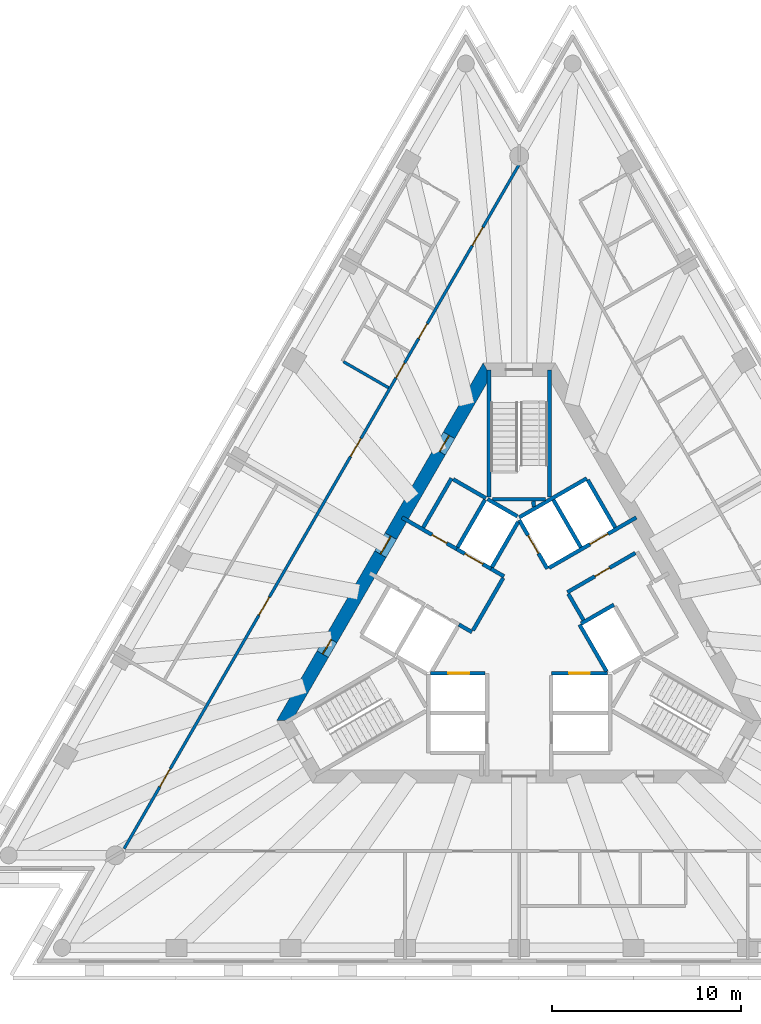
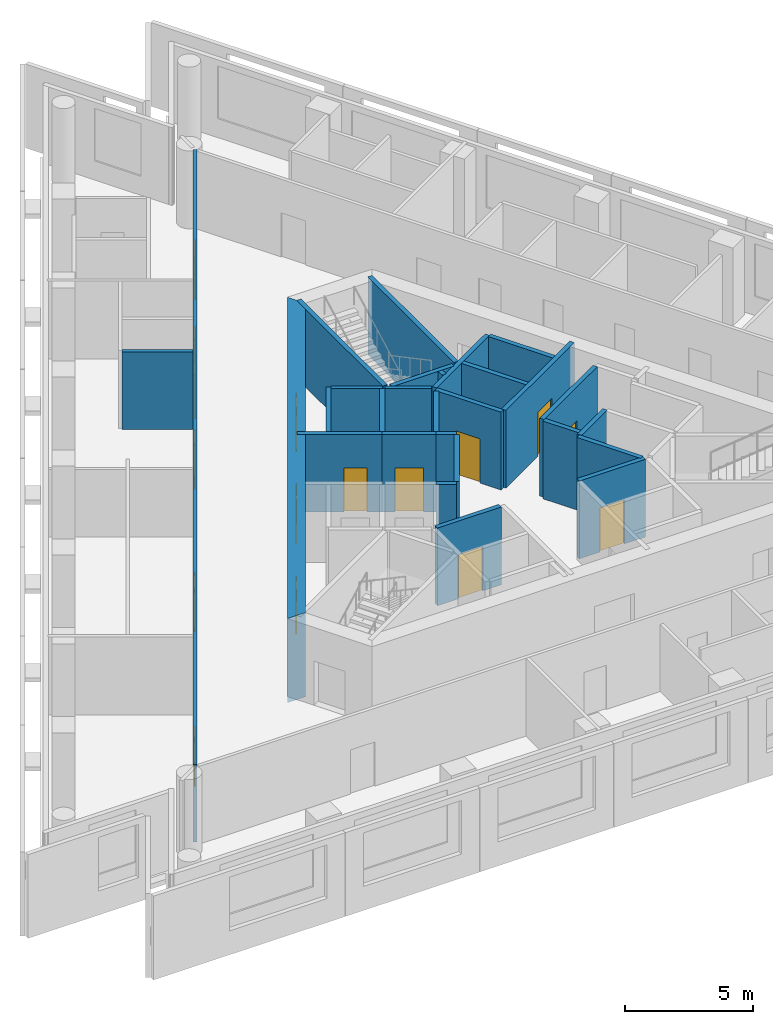
# One storey, part 4 of 9: 28 walls, 16 doors, 16 openings.
"""IFC4 building model written with IfcOpenShell, lengths in metres."""

from ifc_helpers import new_model, si_unit, direction, frame, frame_2d, origin, place, context, subcontext, project, spatial, polyline, rectangle, outline, extrude, material, layer, layer_set, type_object, element, fill, save


model = new_model("IFC4")

# Units and contexts
model_context = context("Model", 3, precision=1e-05, world=origin(), true_north=direction((0.0, 1.0)))
body_context = subcontext(model_context, "Body", "Model", "MODEL_VIEW")
ifc_project = project(units=[si_unit("LENGTHUNIT", "METRE"), si_unit("AREAUNIT", "SQUARE_METRE"), si_unit("VOLUMEUNIT", "CUBIC_METRE"), si_unit("PLANEANGLEUNIT", "RADIAN"), si_unit("MASSUNIT", "GRAM", prefix="KILO")], contexts=[model_context])

# Site, building, storey
site_placement = place(None, origin())
site = spatial("IfcSite", under=ifc_project, at=site_placement, CompositionType="ELEMENT")
building_placement = place(site_placement, origin())
building = spatial("IfcBuilding", under=site, at=building_placement, Name="Triada Interchange Tower", CompositionType="ELEMENT")
storey_placement = place(building_placement, frame((0.0, 0.0, 223.300048828125)))
storey = spatial("IfcBuildingStorey", under=building, at=storey_placement, Name="L52", CompositionType="ELEMENT", Elevation=223.300048828125)

# Wall, opening, door
ifc_material_1 = material(Name="Concrete C30/37", Category="concrete")
ifc_layer_1 = layer(ifc_material_1, 0.199951171875)
ifc_layer_set_1 = layer_set([ifc_layer_1], Name="CORE WALL 200 EI 120")
wall_type_1 = type_object("IfcWallType", Name="CORE WALL 200 EI 120", PredefinedType="SOLIDWALL", material=ifc_layer_set_1)
wall_1_placement = place(storey_placement, frame((-4.676025390625, -2.699951171875, 0.0), z_axis=(0.0, 0.0, 1.0), x_axis=(1.0, 0.0, 0.0)))
wall_1 = element("IfcWall", 1, at=wall_1_placement, inside=storey, type_object=wall_type_1, Name="Wall L50 49", PredefinedType="SOLIDWALL", context=body_context, shape_type="SweptSolid", body=[
    extrude(rectangle(XDim=2.873046875, YDim=0.199951171875, at=frame_2d((1.4365234375, 0.0))), origin(), (0.0, 0.0, 1.0), 3.699951171875),
])
opening_1_placement = place(wall_1_placement, frame((0.93701171875, 0.0, 0.0)))
opening_1 = element("IfcOpeningElement", 2, at=opening_1_placement, cuts=wall_1, Name="Opening LD-HR3", PredefinedType="OPENING", context=body_context, shape_type="SweptSolid", body=[
    extrude(rectangle(XDim=1.10009765625, YDim=2.10009765625, at=frame_2d((0.550048828125, 1.050048828125))), frame((0.0, 0.10986328125, 0.0), z_axis=(0.0, -1.0, 0.0), x_axis=(1.0, 0.0, 0.0)), (0.0, 0.0, 1.0), 0.219970703125),
])
ifc_material_2 = material(Name="Steel S235 door leaf", Category="steel")
door_type_1 = type_object("IfcDoorType", Name="LIFT LANDING DOOR 1100 EI 120", OperationType="SLIDING_TO_LEFT", PredefinedType="DOOR", material=ifc_material_2)
door_1_placement = place(opening_1_placement, origin())
door_1 = element("IfcDoor", 3, at=door_1_placement, inside=storey, type_object=door_type_1, Name="HR3 landing door L52", OperationType="SLIDING_TO_LEFT", OverallHeight=2.10009765625, OverallWidth=1.10009765625, PredefinedType="DOOR", context=body_context, shape_type="SweptSolid", body=[
    extrude(rectangle(XDim=1.10009765625, YDim=2.10009765625, at=frame_2d((0.550048828125, 1.050048828125))), frame((0.0, 0.02490234375, 0.0), z_axis=(0.0, -1.0, 0.0), x_axis=(1.0, 0.0, 0.0)), (0.0, 0.0, 1.0), 0.050048828125),
])
fill(opening_1, door_1)

wall_2_placement = place(storey_placement, frame((1.702880859375, -2.699951171875, 0.0), z_axis=(0.0, 0.0, 1.0), x_axis=(1.0, 0.0, 0.0)))
wall_2 = element("IfcWall", 4, at=wall_2_placement, inside=storey, type_object=wall_type_1, Name="Wall L50 50", PredefinedType="SOLIDWALL", context=body_context, shape_type="SweptSolid", body=[
    extrude(rectangle(XDim=2.97314453125, YDim=0.199951171875, at=frame_2d((1.486572265625, 0.0))), origin(), (0.0, 0.0, 1.0), 3.699951171875),
])
opening_2_placement = place(wall_2_placement, frame((0.93603515625, 0.0, 0.0)))
opening_2 = element("IfcOpeningElement", 5, at=opening_2_placement, cuts=wall_2, Name="Opening LD-HR1", PredefinedType="OPENING", context=body_context, shape_type="SweptSolid", body=[
    extrude(rectangle(XDim=1.10009765625, YDim=2.10009765625, at=frame_2d((0.550048828125, 1.050048828125))), frame((0.0, 0.10986328125, 0.0), z_axis=(0.0, -1.0, 0.0), x_axis=(1.0, 0.0, 0.0)), (0.0, 0.0, 1.0), 0.219970703125),
])
door_2_placement = place(opening_2_placement, origin())
door_2 = element("IfcDoor", 6, at=door_2_placement, inside=storey, type_object=door_type_1, Name="HR1 landing door L52", OperationType="SLIDING_TO_LEFT", OverallHeight=2.10009765625, OverallWidth=1.10009765625, PredefinedType="DOOR", context=body_context, shape_type="SweptSolid", body=[
    extrude(rectangle(XDim=1.10009765625, YDim=2.10009765625, at=frame_2d((0.550048828125, 1.050048828125))), frame((0.0, 0.02490234375, 0.0), z_axis=(0.0, -1.0, 0.0), x_axis=(1.0, 0.0, 0.0)), (0.0, 0.0, 1.0), 0.050048828125),
])
fill(opening_2, door_2)

# Wall
wall_3_placement = place(storey_placement, frame((-0.001953125, 5.541015625, 0.0), z_axis=(0.0, 0.0, 1.0), x_axis=(0.86600155993, 0.500041296494, 0.0)))
element("IfcWall", 7, at=wall_3_placement, inside=storey, type_object=wall_type_1, Name="Wall L50 51", PredefinedType="SOLIDWALL", context=body_context, shape_type="SweptSolid", body=[
    extrude(rectangle(XDim=4.131591796875, YDim=0.199951171875, at=frame_2d((2.06591796875, 0.0))), origin(), (0.0, 0.0, 1.0), 3.699951171875),
])

# Wall, opening, door
wall_4_placement = place(storey_placement, frame((0.0, 5.39990234375, 0.0), z_axis=(0.0, 0.0, 1.0), x_axis=(0.500103862429, -0.865965430478, 0.0)))
wall_4 = element("IfcWall", 8, at=wall_4_placement, inside=storey, type_object=wall_type_1, Name="Wall L50 52", PredefinedType="SOLIDWALL", context=body_context, shape_type="SweptSolid", body=[
    extrude(rectangle(XDim=2.973388671875, YDim=0.199951171875, at=frame_2d((1.48681640625, 0.0))), origin(), (0.0, 0.0, 1.0), 3.699951171875),
])
opening_3_placement = place(wall_4_placement, frame((0.93701171875, 0.0, 0.0)))
opening_3 = element("IfcOpeningElement", 9, at=opening_3_placement, cuts=wall_4, Name="Opening LD-HR5", PredefinedType="OPENING", context=body_context, shape_type="SweptSolid", body=[
    extrude(rectangle(XDim=1.10009765625, YDim=2.10009765625, at=frame_2d((0.550048828125, 1.050048828125))), frame((0.0, 0.10986328125, 0.0), z_axis=(0.0, -1.0, 0.0), x_axis=(1.0, 0.0, 0.0)), (0.0, 0.0, 1.0), 0.219970703125),
])
door_3_placement = place(opening_3_placement, origin())
door_3 = element("IfcDoor", 10, at=door_3_placement, inside=storey, type_object=door_type_1, Name="HR5 landing door L52", OperationType="SLIDING_TO_LEFT", OverallHeight=2.10009765625, OverallWidth=1.10009765625, PredefinedType="DOOR", context=body_context, shape_type="SweptSolid", body=[
    extrude(rectangle(XDim=1.10009765625, YDim=2.10009765625, at=frame_2d((0.550048828125, 1.050048828125))), frame((0.0, 0.02490234375, 0.0), z_axis=(0.0, -1.0, 0.0), x_axis=(1.0, 0.0, 0.0)), (0.0, 0.0, 1.0), 0.050048828125),
])
fill(opening_3, door_3)

# Wall
wall_5_placement = place(storey_placement, frame((3.18994140625, -0.125, 0.0), z_axis=(0.0, 0.0, 1.0), x_axis=(0.499988658015, -0.866031951983, 0.0)))
element("IfcWall", 11, at=wall_5_placement, inside=storey, type_object=wall_type_1, Name="Wall L50 53", PredefinedType="SOLIDWALL", context=body_context, shape_type="SweptSolid", body=[
    extrude(rectangle(XDim=2.85791015625, YDim=0.199951171875, at=frame_2d((1.428955078125, 0.0))), origin(), (0.0, 0.0, 1.0), 3.699951171875),
])

# Wall, opening, door
wall_6_placement = place(storey_placement, frame((1.577880859375, 2.8740234375, 0.0), z_axis=(0.0, 0.0, 1.0), x_axis=(0.866045911672, 0.499964477614, 0.0)))
wall_6 = element("IfcWall", 12, at=wall_6_placement, inside=storey, type_object=wall_type_1, Name="Wall L50 54", PredefinedType="SOLIDWALL", context=body_context, shape_type="SweptSolid", body=[
    extrude(rectangle(XDim=5.32666015625, YDim=0.199951171875, at=frame_2d((2.663330078125, 0.0))), origin(), (0.0, 0.0, 1.0), 3.699951171875),
])
opening_4_placement = place(wall_6_placement, frame((2.49609375, 0.0, 0.0)))
opening_4 = element("IfcOpeningElement", 13, at=opening_4_placement, cuts=wall_6, Name="Opening LD-HR6", PredefinedType="OPENING", context=body_context, shape_type="SweptSolid", body=[
    extrude(rectangle(XDim=1.10009765625, YDim=2.10009765625, at=frame_2d((0.550048828125, 1.050048828125))), frame((0.0, 0.10986328125, 0.0), z_axis=(0.0, -1.0, 0.0), x_axis=(1.0, 0.0, 0.0)), (0.0, 0.0, 1.0), 0.219970703125),
])
door_4_placement = place(opening_4_placement, origin())
door_4 = element("IfcDoor", 14, at=door_4_placement, inside=storey, type_object=door_type_1, Name="HR6 landing door L52", OperationType="SLIDING_TO_LEFT", OverallHeight=2.10009765625, OverallWidth=1.10009765625, PredefinedType="DOOR", context=body_context, shape_type="SweptSolid", body=[
    extrude(rectangle(XDim=1.10009765625, YDim=2.10009765625, at=frame_2d((0.550048828125, 1.050048828125))), frame((0.0, 0.02490234375, 0.0), z_axis=(0.0, -1.0, 0.0), x_axis=(1.0, 0.0, 0.0)), (0.0, 0.0, 1.0), 0.050048828125),
])
fill(opening_4, door_4)

# Walls
wall_7_placement = place(storey_placement, frame((3.278076171875, -0.071044921875, 0.0), z_axis=(0.0, 0.0, 1.0), x_axis=(0.865855657918, 0.500293893279, 0.0)))
element("IfcWall", 15, at=wall_7_placement, inside=storey, type_object=wall_type_1, Name="Wall L50 57", PredefinedType="SOLIDWALL", context=body_context, shape_type="SweptSolid", body=[
    extrude(rectangle(XDim=1.996826171875, YDim=0.199951171875, at=frame_2d((0.99853515625, 0.0))), origin(), (0.0, 0.0, 1.0), 3.699951171875),
])
for number, where, z_axis, x_axis, name in (
    (16, (3.6259765625, 7.52001953125, 0.0), (0.0, 0.0, 1.0), (0.500060147554, -0.865990674793, 0.0), "Wall L50 59"),
    (17, (1.806884765625, 6.469970703125, 0.0), (0.0, 0.0, 1.0), (0.50012328804, -0.865954211699, 0.0), "Wall L50 60"),
):
    element("IfcWall", number, at=place(storey_placement, frame(where, z_axis=z_axis, x_axis=x_axis)), inside=storey, type_object=wall_type_1, Name=name, PredefinedType="SOLIDWALL", context=body_context, shape_type="SweptSolid", body=[
        extrude(rectangle(XDim=2.899658203125, YDim=0.199951171875, at=frame_2d((1.44970703125, 0.0))), origin(), (0.0, 0.0, 1.0), 3.699951171875),
    ])

# Wall, opening, door
wall_8_placement = place(storey_placement, frame((2.548095703125, 1.5869140625, 0.0), z_axis=(0.0, 0.0, 1.0), x_axis=(0.866004344652, 0.500036473714, 0.0)))
wall_8 = element("IfcWall", 18, at=wall_8_placement, inside=storey, type_object=wall_type_1, Name="Wall L50 64", PredefinedType="SOLIDWALL", context=body_context, shape_type="SweptSolid", body=[
    extrude(rectangle(XDim=4.150146484375, YDim=0.199951171875, at=frame_2d((2.0751953125, 0.0))), origin(), (0.0, 0.0, 1.0), 3.699951171875),
])
opening_5_placement = place(wall_8_placement, frame((1.675048828125, 0.0, 0.0)))
opening_5 = element("IfcOpeningElement", 19, at=opening_5_placement, cuts=wall_8, Name="Opening D50-48", PredefinedType="OPENING", context=body_context, shape_type="SweptSolid", body=[
    extrude(rectangle(XDim=0.89990234375, YDim=2.10009765625, at=frame_2d((0.449951171875, 1.050048828125))), frame((0.0, 0.10986328125, 0.0), z_axis=(0.0, -1.0, 0.0), x_axis=(1.0, 0.0, 0.0)), (0.0, 0.0, 1.0), 0.219970703125),
])
door_type_2 = type_object("IfcDoorType", Name="SERVICE DOOR 900 EI2 45-C5S200", OperationType="NOTDEFINED", PredefinedType="DOOR", material=ifc_material_2)
door_5_placement = place(opening_5_placement, origin())
door_5 = element("IfcDoor", 20, at=door_5_placement, inside=storey, type_object=door_type_2, Name="Door D50-48 L52", OperationType="SINGLE_SWING_RIGHT", OverallHeight=2.10009765625, OverallWidth=0.89990234375, PredefinedType="DOOR", context=body_context, shape_type="SweptSolid", body=[
    extrude(rectangle(XDim=0.89990234375, YDim=2.10009765625, at=frame_2d((0.449951171875, 1.050048828125))), frame((0.0, 0.02490234375, 0.0), z_axis=(0.0, -1.0, 0.0), x_axis=(1.0, 0.0, 0.0)), (0.0, 0.0, 1.0), 0.050048828125),
])
fill(opening_5, door_5)

# Walls
wall_9_placement = place(storey_placement, frame((2.597900390625, 1.5, 0.0), z_axis=(0.0, 0.0, 1.0), x_axis=(0.499929347863, -0.866066190972, 0.0)))
element("IfcWall", 21, at=wall_9_placement, inside=storey, type_object=wall_type_1, Name="Wall L50 65", PredefinedType="SOLIDWALL", context=body_context, shape_type="SweptSolid", body=[
    extrude(rectangle(XDim=1.600341796875, YDim=0.199951171875, at=frame_2d((0.80029296875, 0.0))), origin(), (0.0, 0.0, 1.0), 3.699951171875),
])
ifc_layer_2 = layer(ifc_material_1, 0.199951171875)
ifc_layer_set_2 = layer_set([ifc_layer_2], Name="CORE WALL 200 EI 180")
wall_type_2 = type_object("IfcWallType", Name="CORE WALL 200 EI 180", PredefinedType="SOLIDWALL", material=ifc_layer_set_2)
wall_10_placement = place(storey_placement, frame((-3.18798828125, -0.1220703125, 0.0), z_axis=(0.0, 0.0, 1.0), x_axis=(0.865705793592, -0.50055317294, 0.0)))
element("IfcWall", 22, at=wall_10_placement, inside=storey, type_object=wall_type_2, Name="Wall L50 67", PredefinedType="SOLIDWALL", context=body_context, shape_type="SweptSolid", body=[
    extrude(rectangle(XDim=0.796875, YDim=0.199951171875, at=frame_2d((0.3984375, 0.0))), origin(), (0.0, 0.0, 1.0), 3.699951171875),
])

# Wall, opening, door
wall_11_placement = place(storey_placement, frame((-6.19091796875, 5.537109375, 0.0), z_axis=(0.0, 0.0, 1.0), x_axis=(0.866052607023, -0.499952879648, 0.0)))
wall_11 = element("IfcWall", 23, at=wall_11_placement, inside=storey, type_object=wall_type_2, Name="Wall L50 68", PredefinedType="SOLIDWALL", context=body_context, shape_type="SweptSolid", body=[
    extrude(rectangle(XDim=3.332275390625, YDim=0.199951171875, at=frame_2d((1.666015625, 0.0))), origin(), (0.0, 0.0, 1.0), 3.699951171875),
])
opening_6_placement = place(wall_11_placement, frame((1.830078125, 0.0, 0.0)))
opening_6 = element("IfcOpeningElement", 24, at=opening_6_placement, cuts=wall_11, Name="Opening D50-10", PredefinedType="OPENING", context=body_context, shape_type="SweptSolid", body=[
    extrude(rectangle(XDim=0.89990234375, YDim=2.10009765625, at=frame_2d((0.449951171875, 1.050048828125))), frame((0.0, 0.10986328125, 0.0), z_axis=(0.0, -1.0, 0.0), x_axis=(1.0, 0.0, 0.0)), (0.0, 0.0, 1.0), 0.219970703125),
])
door_type_3 = type_object("IfcDoorType", Name="SERVICE DOOR 900 EI2 90-C5S200", OperationType="NOTDEFINED", PredefinedType="DOOR", material=ifc_material_2)
door_6_placement = place(opening_6_placement, origin())
door_6 = element("IfcDoor", 25, at=door_6_placement, inside=storey, type_object=door_type_3, Name="Door D50-10 L52", OperationType="SINGLE_SWING_LEFT", OverallHeight=2.10009765625, OverallWidth=0.89990234375, PredefinedType="DOOR", context=body_context, shape_type="SweptSolid", body=[
    extrude(rectangle(XDim=0.89990234375, YDim=2.10009765625, at=frame_2d((0.449951171875, 1.050048828125))), frame((0.0, 0.02490234375, 0.0), z_axis=(0.0, -1.0, 0.0), x_axis=(1.0, 0.0, 0.0)), (0.0, 0.0, 1.0), 0.050048828125),
])
fill(opening_6, door_6)

# Walls
wall_12_placement = place(storey_placement, frame((-1.488037109375, 2.822021484375, 0.0), z_axis=(0.0, 0.0, 1.0), x_axis=(0.866236612152, -0.499633997809, 0.0)))
element("IfcWall", 26, at=wall_12_placement, inside=storey, type_object=wall_type_2, Name="Wall L50 69", PredefinedType="SOLIDWALL", context=body_context, shape_type="SweptSolid", body=[
    extrude(rectangle(XDim=0.79638671875, YDim=0.199951171875, at=frame_2d((0.398193359375, 0.0))), origin(), (0.0, 0.0, 1.0), 3.699951171875),
])
wall_13_placement = place(storey_placement, frame((-5.075927734375, 5.009033203125, 0.0), z_axis=(0.0, 0.0, 1.0), x_axis=(0.50002537861, 0.866010750942, 0.0)))
element("IfcWall", 27, at=wall_13_placement, inside=storey, type_object=wall_type_2, Name="Wall L50 70", PredefinedType="SOLIDWALL", context=body_context, shape_type="SweptSolid", body=[
    extrude(rectangle(XDim=2.999755859375, YDim=0.199951171875, at=frame_2d((1.5, 0.0))), origin(), (0.0, 0.0, 1.0), 3.699951171875),
])
wall_14_placement = place(storey_placement, frame((-3.489013671875, 7.556884765625, 0.0), z_axis=(0.0, 0.0, 1.0), x_axis=(0.866010750942, -0.50002537861, 0.0)))
element("IfcWall", 28, at=wall_14_placement, inside=storey, type_object=wall_type_2, Name="Wall L50 71", PredefinedType="SOLIDWALL", context=body_context, shape_type="SweptSolid", body=[
    extrude(rectangle(XDim=2.0, YDim=0.199951171875, at=frame_2d((1.0, 0.0))), origin(), (0.0, 0.0, 1.0), 3.699951171875),
])
wall_15_placement = place(storey_placement, frame((-2.444091796875, -0.43310546875, 0.0), z_axis=(0.0, 0.0, 1.0), x_axis=(0.500035624827, 0.866004834804, 0.0)))
element("IfcWall", 29, at=wall_15_placement, inside=storey, type_object=wall_type_2, Name="Wall L50 72", PredefinedType="SOLIDWALL", context=body_context, shape_type="SweptSolid", body=[
    extrude(rectangle(XDim=3.194091796875, YDim=0.199951171875, at=frame_2d((1.59716796875, 0.0))), origin(), (0.0, 0.0, 1.0), 3.699951171875),
])

# Wall, opening, door
wall_16_placement = place(storey_placement, frame((-3.30908203125, 3.873046875, 0.0), z_axis=(0.0, 0.0, 1.0), x_axis=(0.866098583652, -0.499873227325, 0.0)))
wall_16 = element("IfcWall", 30, at=wall_16_placement, inside=storey, type_object=wall_type_2, Name="Shaft wall FF2 L50 77", PredefinedType="SOLIDWALL", context=body_context, shape_type="SweptSolid", body=[
    extrude(rectangle(XDim=2.1025390625, YDim=0.199951171875, at=frame_2d((1.05126953125, 0.0))), origin(), (0.0, 0.0, 1.0), 3.699951171875),
])
opening_7_placement = place(wall_16_placement, frame((0.501953125, 0.0, 0.0)))
opening_7 = element("IfcOpeningElement", 31, at=opening_7_placement, cuts=wall_16, Name="Opening LD-FF2", PredefinedType="OPENING", context=body_context, shape_type="SweptSolid", body=[
    extrude(rectangle(XDim=1.10009765625, YDim=2.10009765625, at=frame_2d((0.550048828125, 1.050048828125))), frame((0.0, 0.10986328125, 0.0), z_axis=(0.0, -1.0, 0.0), x_axis=(1.0, 0.0, 0.0)), (0.0, 0.0, 1.0), 0.219970703125),
])
door_7_placement = place(opening_7_placement, origin())
door_7 = element("IfcDoor", 32, at=door_7_placement, inside=storey, type_object=door_type_1, Name="FF2 landing door L52", OperationType="SLIDING_TO_LEFT", OverallHeight=2.10009765625, OverallWidth=1.10009765625, PredefinedType="DOOR", context=body_context, shape_type="SweptSolid", body=[
    extrude(rectangle(XDim=1.10009765625, YDim=2.10009765625, at=frame_2d((0.550048828125, 1.050048828125))), frame((0.0, 0.02490234375, 0.0), z_axis=(0.0, -1.0, 0.0), x_axis=(1.0, 0.0, 0.0)), (0.0, 0.0, 1.0), 0.050048828125),
])
fill(opening_7, door_7)

# Walls
wall_17_placement = place(storey_placement, frame((-3.257080078125, 3.958984375, 0.0), z_axis=(0.0, 0.0, 1.0), x_axis=(0.50012328804, 0.865954211699, 0.0)))
element("IfcWall", 33, at=wall_17_placement, inside=storey, type_object=wall_type_2, Name="Shaft wall FF2 L50 78", PredefinedType="SOLIDWALL", context=body_context, shape_type="SweptSolid", body=[
    extrude(rectangle(XDim=2.899658203125, YDim=0.199951171875, at=frame_2d((1.44970703125, 0.0))), origin(), (0.0, 0.0, 1.0), 3.699951171875),
])
wall_18_placement = place(storey_placement, frame((-1.669921875, 6.507080078125, 0.0), z_axis=(0.0, 0.0, 1.0), x_axis=(0.865941441609, -0.500145398563, 0.0)))
element("IfcWall", 34, at=wall_18_placement, inside=storey, type_object=wall_type_2, Name="Shaft wall FF2 L50 79", PredefinedType="SOLIDWALL", context=body_context, shape_type="SweptSolid", body=[
    extrude(rectangle(XDim=1.8154296875, YDim=0.199951171875, at=frame_2d((0.90771484375, 0.0))), origin(), (0.0, 0.0, 1.0), 3.699951171875),
])
wall_19_placement = place(storey_placement, frame((-1.43798828125, 2.908935546875, 0.0), z_axis=(0.0, 0.0, 1.0), x_axis=(0.499829630636, 0.866123744241, 0.0)))
element("IfcWall", 35, at=wall_19_placement, inside=storey, type_object=wall_type_2, Name="Shaft wall FF2 L50 80", PredefinedType="SOLIDWALL", context=body_context, shape_type="SweptSolid", body=[
    extrude(rectangle(XDim=2.7607421875, YDim=0.199951171875, at=frame_2d((1.38037109375, 0.0))), origin(), (0.0, 0.0, 1.0), 3.699951171875),
])
ifc_layer_3 = layer(ifc_material_1, 0.199951171875)
ifc_layer_set_3 = layer_set([ifc_layer_3], Name="CORE WALL 200 EI 90")
wall_type_3 = type_object("IfcWallType", Name="CORE WALL 200 EI 90", PredefinedType="SOLIDWALL", material=ifc_layer_set_3)
wall_20_placement = place(storey_placement, frame((0.75, 6.39990234375, 0.0), z_axis=(0.0, 0.0, 1.0), x_axis=(0.080860177601, -0.996725454515, 0.0)))
element("IfcWall", 36, at=wall_20_placement, inside=storey, type_object=wall_type_3, Name="Wall L50 82", PredefinedType="SOLIDWALL", context=body_context, shape_type="SweptSolid", body=[
    extrude(rectangle(XDim=0.2958984375, YDim=0.199951171875, at=frame_2d((0.14794921875, 0.0))), origin(), (0.0, 0.0, 1.0), 3.699951171875),
])
ifc_layer_4 = layer(ifc_material_1, 0.199951171875)
ifc_layer_set_4 = layer_set([ifc_layer_4], Name="CORE WALL 200 REI 240")
wall_type_4 = type_object("IfcWallType", Name="CORE WALL 200 REI 240", PredefinedType="SOLIDWALL", material=ifc_layer_set_4)
wall_21_placement = place(storey_placement, frame((1.60009765625, 6.614990234375, 0.0), z_axis=(0.0, 0.0, 1.0), x_axis=(0.0, 1.0, 0.0)))
element("IfcWall", 37, at=wall_21_placement, inside=storey, type_object=wall_type_4, Name="Wall L50 89", PredefinedType="SOLIDWALL", context=body_context, shape_type="SweptSolid", body=[
    extrude(rectangle(XDim=6.715087890625, YDim=0.199951171875, at=frame_2d((3.357421875, 0.0))), origin(), (0.0, 0.0, 1.0), 3.699951171875),
])
wall_22_placement = place(storey_placement, frame((-1.39990234375, 6.5, 0.0), z_axis=(0.0, 0.0, 1.0), x_axis=(1.0, 0.0, 0.0)))
element("IfcWall", 38, at=wall_22_placement, inside=storey, type_object=wall_type_4, Name="Wall L50 90", PredefinedType="SOLIDWALL", context=body_context, shape_type="SweptSolid", body=[
    extrude(rectangle(XDim=2.7998046875, YDim=0.199951171875, at=frame_2d((1.39990234375, 0.0))), origin(), (0.0, 0.0, 1.0), 3.699951171875),
])
wall_23_placement = place(storey_placement, frame((-1.60009765625, 6.614990234375, 0.0), z_axis=(0.0, 0.0, 1.0), x_axis=(0.0, 1.0, 0.0)))
element("IfcWall", 39, at=wall_23_placement, inside=storey, type_object=wall_type_4, Name="Wall L50 91", PredefinedType="SOLIDWALL", context=body_context, shape_type="SweptSolid", body=[
    extrude(rectangle(XDim=6.715087890625, YDim=0.199951171875, at=frame_2d((3.357421875, 0.0))), origin(), (0.0, 0.0, 1.0), 3.699951171875),
])

# Wall, openings, doors
ifc_material_3 = material(Name="Concrete C50/60", Category="concrete")
ifc_layer_5 = layer(ifc_material_3, 0.699951171875)
ifc_layer_set_5 = layer_set([ifc_layer_5], Name="Core wall C 700")
wall_type_5 = type_object("IfcWallType", Name="Core wall C 700", PredefinedType="SHEAR", material=ifc_layer_set_5)
wall_24_placement = place(storey_placement, frame((-1.702880859375, 13.35009765625, -0.300048828125), z_axis=(0.0, 0.0, 1.0), x_axis=(-0.500011533395, -0.866018744874, 0.0)))
wall_24 = element("IfcWall", 40, at=wall_24_placement, inside=storey, type_object=wall_type_5, Name="Core wall WC02 L52", PredefinedType="SHEAR", context=body_context, shape_type="SweptSolid", body=[
    extrude(outline(polyline([(-0.201904296875, -0.35009765625), (1.781982421875, -0.35009765625), (3.76611328125, -0.35009765625), (5.75, -0.35009765625), (7.734130859375, -0.35009765625), (9.718017578125, -0.35009765625), (11.7021484375, -0.35009765625), (13.68603515625, -0.35009765625), (15.670166015625, -0.35009765625), (17.654052734375, -0.35009765625), (19.63818359375, -0.35009765625), (21.6220703125, -0.35009765625), (21.218017578125, 0.35009765625), (19.307373046875, 0.35009765625), (17.39697265625, 0.35009765625), (15.486328125, 0.35009765625), (13.57568359375, 0.35009765625), (11.665283203125, 0.35009765625), (9.754638671875, 0.35009765625), (7.84423828125, 0.35009765625), (5.93359375, 0.35009765625), (4.02294921875, 0.35009765625), (2.112548828125, 0.35009765625), (0.201904296875, 0.35009765625), (-0.201904296875, -0.35009765625)])), origin(), (0.0, 0.0, 1.0), 4.0),
])
opening_8_placement = place(wall_24_placement, frame((10.159912109375, 0.0, 0.300048828125)))
opening_8 = element("IfcOpeningElement", 41, at=opening_8_placement, cuts=wall_24, Name="Opening D50-42", PredefinedType="OPENING", context=body_context, shape_type="SweptSolid", body=[
    extrude(rectangle(XDim=1.10009765625, YDim=2.10009765625, at=frame_2d((0.550048828125, 1.050048828125))), frame((0.0, 0.360107421875, 0.0), z_axis=(0.0, -1.0, 0.0), x_axis=(1.0, 0.0, 0.0)), (0.0, 0.0, 1.0), 0.72021484375),
])
opening_9_placement = place(wall_24_placement, frame((16.465087890625, 0.0, 0.300048828125)))
opening_9 = element("IfcOpeningElement", 42, at=opening_9_placement, cuts=wall_24, Name="Opening D50-43", PredefinedType="OPENING", context=body_context, shape_type="SweptSolid", body=[
    extrude(rectangle(XDim=0.89990234375, YDim=2.10009765625, at=frame_2d((0.449951171875, 1.050048828125))), frame((0.0, 0.360107421875, 0.0), z_axis=(0.0, -1.0, 0.0), x_axis=(1.0, 0.0, 0.0)), (0.0, 0.0, 1.0), 0.72021484375),
])
opening_10_placement = place(wall_24_placement, frame((4.0048828125, 0.0, 0.300048828125)))
opening_10 = element("IfcOpeningElement", 43, at=opening_10_placement, cuts=wall_24, Name="Opening D50-46", PredefinedType="OPENING", context=body_context, shape_type="SweptSolid", body=[
    extrude(rectangle(XDim=1.0, YDim=2.10009765625, at=frame_2d((0.5, 1.050048828125))), frame((0.0, 0.360107421875, 0.0), z_axis=(0.0, -1.0, 0.0), x_axis=(1.0, 0.0, 0.0)), (0.0, 0.0, 1.0), 0.72021484375),
])
door_type_4 = type_object("IfcDoorType", Name="FIRE LOBBY DOOR 1100 EI2 90-C5S200", OperationType="NOTDEFINED", PredefinedType="DOOR", material=ifc_material_2)
door_8_placement = place(opening_8_placement, origin())
door_8 = element("IfcDoor", 44, at=door_8_placement, inside=storey, type_object=door_type_4, Name="Door D50-42 L52", OperationType="SINGLE_SWING_RIGHT", OverallHeight=2.10009765625, OverallWidth=1.10009765625, PredefinedType="DOOR", context=body_context, shape_type="SweptSolid", body=[
    extrude(rectangle(XDim=1.10009765625, YDim=2.10009765625, at=frame_2d((0.550048828125, 1.050048828125))), frame((0.0, 0.02490234375, 0.0), z_axis=(0.0, -1.0, 0.0), x_axis=(1.0, 0.0, 0.0)), (0.0, 0.0, 1.0), 0.050048828125),
])
fill(opening_8, door_8)
door_type_5 = type_object("IfcDoorType", Name="SERVICE DOOR 1000 EI2 45-C5S200", OperationType="NOTDEFINED", PredefinedType="DOOR", material=ifc_material_2)
door_9_placement = place(opening_10_placement, origin())
door_9 = element("IfcDoor", 45, at=door_9_placement, inside=storey, type_object=door_type_5, Name="Door D50-46 L52", OperationType="SINGLE_SWING_RIGHT", OverallHeight=2.10009765625, OverallWidth=1.0, PredefinedType="DOOR", context=body_context, shape_type="SweptSolid", body=[
    extrude(rectangle(XDim=1.0, YDim=2.10009765625, at=frame_2d((0.5, 1.050048828125))), frame((0.0, 0.02490234375, 0.0), z_axis=(0.0, -1.0, 0.0), x_axis=(1.0, 0.0, 0.0)), (0.0, 0.0, 1.0), 0.050048828125),
])
fill(opening_10, door_9)
door_10_placement = place(opening_9_placement, origin())
door_10 = element("IfcDoor", 46, at=door_10_placement, inside=storey, type_object=door_type_2, Name="Door D50-43 L52", OperationType="SINGLE_SWING_RIGHT", OverallHeight=2.10009765625, OverallWidth=0.89990234375, PredefinedType="DOOR", context=body_context, shape_type="SweptSolid", body=[
    extrude(rectangle(XDim=0.89990234375, YDim=2.10009765625, at=frame_2d((0.449951171875, 1.050048828125))), frame((0.0, 0.02490234375, 0.0), z_axis=(0.0, -1.0, 0.0), x_axis=(1.0, 0.0, 0.0)), (0.0, 0.0, 1.0), 0.050048828125),
])
fill(opening_9, door_10)

ifc_material_4 = material(Name="Gypsum board partition")
ifc_layer_6 = layer(ifc_material_4, 0.14990234375)
ifc_layer_set_6 = layer_set([ifc_layer_6], Name="PARTITION 150 EI 180")
wall_type_6 = type_object("IfcWallType", Name="PARTITION 150 EI 180", PredefinedType="PARTITIONING", material=ifc_layer_set_6)
wall_25_placement = place(storey_placement, frame((-20.883056640625, -11.969970703125, 0.0), z_axis=(0.0, 0.0, 1.0), x_axis=(0.500006150555, 0.866021852731, 0.0)))
wall_25 = element("IfcWall", 47, at=wall_25_placement, inside=storey, type_object=wall_type_6, Name="Wall L50 4", PredefinedType="PARTITIONING", context=body_context, shape_type="SweptSolid", body=[
    extrude(rectangle(XDim=41.765625, YDim=0.14990234375, at=frame_2d((20.8828125, 0.0))), origin(), (0.0, 0.0, 1.0), 3.699951171875),
])
opening_11_placement = place(wall_25_placement, frame((36.81591796875, 0.0, 0.0)))
opening_11 = element("IfcOpeningElement", 48, at=opening_11_placement, cuts=wall_25, Name="Opening D50-29", PredefinedType="OPENING", context=body_context, shape_type="SweptSolid", body=[
    extrude(rectangle(XDim=1.10009765625, YDim=2.10009765625, at=frame_2d((0.550048828125, 1.050048828125))), frame((0.0, 0.0849609375, 0.0), z_axis=(0.0, -1.0, 0.0), x_axis=(1.0, 0.0, 0.0)), (0.0, 0.0, 1.0), 0.169921875),
])
opening_12_placement = place(wall_25_placement, frame((23.93896484375, 0.0, 0.0)))
opening_12 = element("IfcOpeningElement", 49, at=opening_12_placement, cuts=wall_25, Name="Opening D50-32", PredefinedType="OPENING", context=body_context, shape_type="SweptSolid", body=[
    extrude(rectangle(XDim=1.10009765625, YDim=2.10009765625, at=frame_2d((0.550048828125, 1.050048828125))), frame((0.0, 0.0849609375, 0.0), z_axis=(0.0, -1.0, 0.0), x_axis=(1.0, 0.0, 0.0)), (0.0, 0.0, 1.0), 0.169921875),
])
opening_13_placement = place(wall_25_placement, frame((31.138916015625, 0.0, 0.0)))
opening_13 = element("IfcOpeningElement", 50, at=opening_13_placement, cuts=wall_25, Name="Opening D50-33", PredefinedType="OPENING", context=body_context, shape_type="SweptSolid", body=[
    extrude(rectangle(XDim=0.89990234375, YDim=2.10009765625, at=frame_2d((0.449951171875, 1.050048828125))), frame((0.0, 0.0849609375, 0.0), z_axis=(0.0, -1.0, 0.0), x_axis=(1.0, 0.0, 0.0)), (0.0, 0.0, 1.0), 0.169921875),
])
opening_14_placement = place(wall_25_placement, frame((28.739013671875, 0.0, 0.0)))
opening_14 = element("IfcOpeningElement", 51, at=opening_14_placement, cuts=wall_25, Name="Opening D50-34", PredefinedType="OPENING", context=body_context, shape_type="SweptSolid", body=[
    extrude(rectangle(XDim=0.89990234375, YDim=2.10009765625, at=frame_2d((0.449951171875, 1.050048828125))), frame((0.0, 0.0849609375, 0.0), z_axis=(0.0, -1.0, 0.0), x_axis=(1.0, 0.0, 0.0)), (0.0, 0.0, 1.0), 0.169921875),
])
opening_15_placement = place(wall_25_placement, frame((14.258056640625, 0.0, 0.0)))
opening_15 = element("IfcOpeningElement", 52, at=opening_15_placement, cuts=wall_25, Name="Opening D50-35", PredefinedType="OPENING", context=body_context, shape_type="SweptSolid", body=[
    extrude(rectangle(XDim=1.10009765625, YDim=2.10009765625, at=frame_2d((0.550048828125, 1.050048828125))), frame((0.0, 0.0849609375, 0.0), z_axis=(0.0, -1.0, 0.0), x_axis=(1.0, 0.0, 0.0)), (0.0, 0.0, 1.0), 0.169921875),
])
opening_16_placement = place(wall_25_placement, frame((3.777099609375, 0.0, 0.0)))
opening_16 = element("IfcOpeningElement", 53, at=opening_16_placement, cuts=wall_25, Name="Opening D50-37", PredefinedType="OPENING", context=body_context, shape_type="SweptSolid", body=[
    extrude(rectangle(XDim=1.10009765625, YDim=2.10009765625, at=frame_2d((0.550048828125, 1.050048828125))), frame((0.0, 0.0849609375, 0.0), z_axis=(0.0, -1.0, 0.0), x_axis=(1.0, 0.0, 0.0)), (0.0, 0.0, 1.0), 0.169921875),
])
door_type_6 = type_object("IfcDoorType", Name="ROOM DOOR 900 EI2 90-C5S200", OperationType="NOTDEFINED", PredefinedType="DOOR", material=ifc_material_2)
door_11_placement = place(opening_13_placement, origin())
door_11 = element("IfcDoor", 54, at=door_11_placement, inside=storey, type_object=door_type_6, Name="Door D50-33 L52", OperationType="SINGLE_SWING_LEFT", OverallHeight=2.10009765625, OverallWidth=0.89990234375, PredefinedType="DOOR", context=body_context, shape_type="SweptSolid", body=[
    extrude(rectangle(XDim=0.89990234375, YDim=2.10009765625, at=frame_2d((0.449951171875, 1.050048828125))), frame((0.0, 0.02490234375, 0.0), z_axis=(0.0, -1.0, 0.0), x_axis=(1.0, 0.0, 0.0)), (0.0, 0.0, 1.0), 0.050048828125),
])
fill(opening_13, door_11)
door_12_placement = place(opening_14_placement, origin())
door_12 = element("IfcDoor", 55, at=door_12_placement, inside=storey, type_object=door_type_3, Name="Door D50-34 L52", OperationType="SINGLE_SWING_LEFT", OverallHeight=2.10009765625, OverallWidth=0.89990234375, PredefinedType="DOOR", context=body_context, shape_type="SweptSolid", body=[
    extrude(rectangle(XDim=0.89990234375, YDim=2.10009765625, at=frame_2d((0.449951171875, 1.050048828125))), frame((0.0, 0.02490234375, 0.0), z_axis=(0.0, -1.0, 0.0), x_axis=(1.0, 0.0, 0.0)), (0.0, 0.0, 1.0), 0.050048828125),
])
fill(opening_14, door_12)
door_type_7 = type_object("IfcDoorType", Name="TENANCY ENTRANCE DOOR 1100 EI2 90-C5S200", OperationType="NOTDEFINED", PredefinedType="DOOR", material=ifc_material_2)
door_13_placement = place(opening_11_placement, origin())
door_13 = element("IfcDoor", 56, at=door_13_placement, inside=storey, type_object=door_type_7, Name="Door D50-29 L52", OperationType="SINGLE_SWING_RIGHT", OverallHeight=2.10009765625, OverallWidth=1.10009765625, PredefinedType="DOOR", context=body_context, shape_type="SweptSolid", body=[
    extrude(rectangle(XDim=1.10009765625, YDim=2.10009765625, at=frame_2d((0.550048828125, 1.050048828125))), frame((0.0, 0.02490234375, 0.0), z_axis=(0.0, -1.0, 0.0), x_axis=(1.0, 0.0, 0.0)), (0.0, 0.0, 1.0), 0.050048828125),
])
fill(opening_11, door_13)
door_14_placement = place(opening_12_placement, origin())
door_14 = element("IfcDoor", 57, at=door_14_placement, inside=storey, type_object=door_type_7, Name="Door D50-32 L52", OperationType="SINGLE_SWING_LEFT", OverallHeight=2.10009765625, OverallWidth=1.10009765625, PredefinedType="DOOR", context=body_context, shape_type="SweptSolid", body=[
    extrude(rectangle(XDim=1.10009765625, YDim=2.10009765625, at=frame_2d((0.550048828125, 1.050048828125))), frame((0.0, 0.02490234375, 0.0), z_axis=(0.0, -1.0, 0.0), x_axis=(1.0, 0.0, 0.0)), (0.0, 0.0, 1.0), 0.050048828125),
])
fill(opening_12, door_14)
door_15_placement = place(opening_15_placement, origin())
door_15 = element("IfcDoor", 58, at=door_15_placement, inside=storey, type_object=door_type_7, Name="Door D50-35 L52", OperationType="SINGLE_SWING_LEFT", OverallHeight=2.10009765625, OverallWidth=1.10009765625, PredefinedType="DOOR", context=body_context, shape_type="SweptSolid", body=[
    extrude(rectangle(XDim=1.10009765625, YDim=2.10009765625, at=frame_2d((0.550048828125, 1.050048828125))), frame((0.0, 0.02490234375, 0.0), z_axis=(0.0, -1.0, 0.0), x_axis=(1.0, 0.0, 0.0)), (0.0, 0.0, 1.0), 0.050048828125),
])
fill(opening_15, door_15)
door_16_placement = place(opening_16_placement, origin())
door_16 = element("IfcDoor", 59, at=door_16_placement, inside=storey, type_object=door_type_7, Name="Door D50-37 L52", OperationType="SINGLE_SWING_LEFT", OverallHeight=2.10009765625, OverallWidth=1.10009765625, PredefinedType="DOOR", context=body_context, shape_type="SweptSolid", body=[
    extrude(rectangle(XDim=1.10009765625, YDim=2.10009765625, at=frame_2d((0.550048828125, 1.050048828125))), frame((0.0, 0.02490234375, 0.0), z_axis=(0.0, -1.0, 0.0), x_axis=(1.0, 0.0, 0.0)), (0.0, 0.0, 1.0), 0.050048828125),
])
fill(opening_16, door_16)

# Wall
wall_26_placement = place(storey_placement, frame((-9.2890625, 13.77099609375, 0.0), z_axis=(0.0, 0.0, 1.0), x_axis=(0.865965703354, -0.500103389924, 0.0)))
element("IfcWall", 60, at=wall_26_placement, inside=storey, type_object=wall_type_6, Name="Wall L50 10", PredefinedType="PARTITIONING", context=body_context, shape_type="SweptSolid", body=[
    extrude(rectangle(XDim=2.75537109375, YDim=0.14990234375, at=frame_2d((1.377685546875, 0.0))), origin(), (0.0, 0.0, 1.0), 3.699951171875),
])

save(model, "model.ifc")
